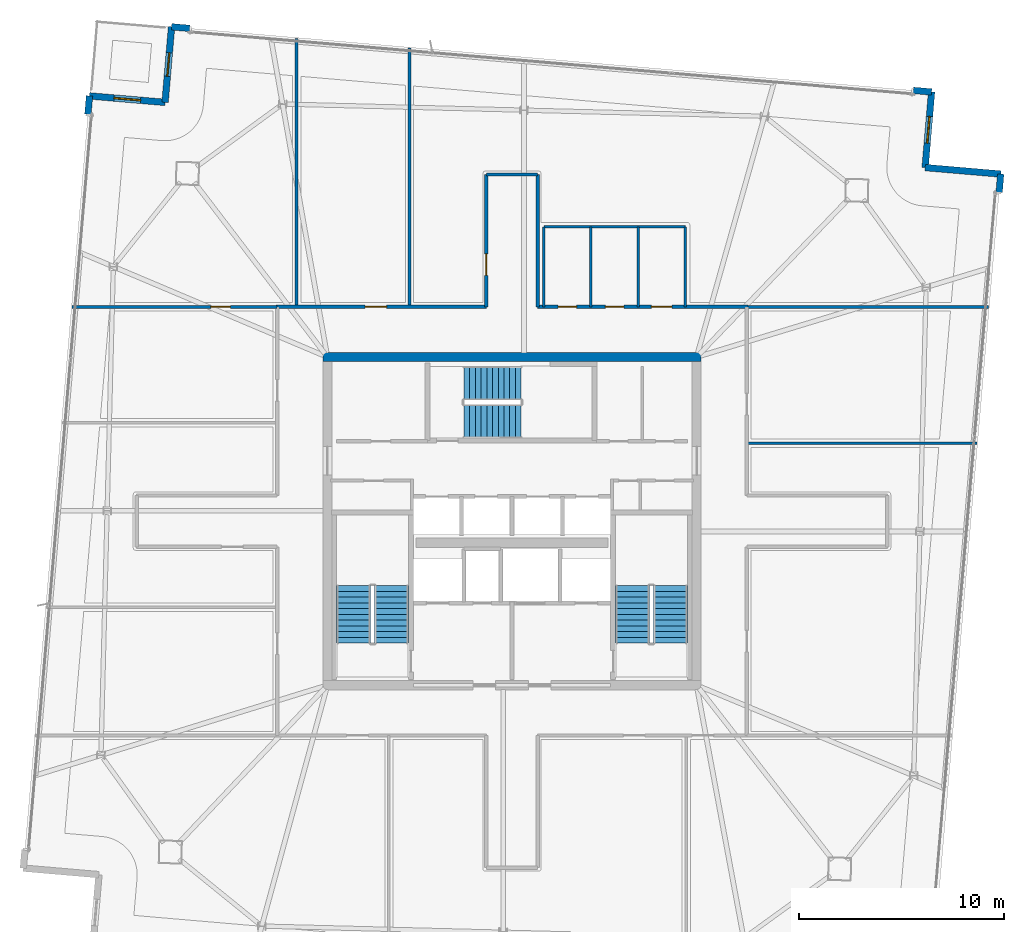
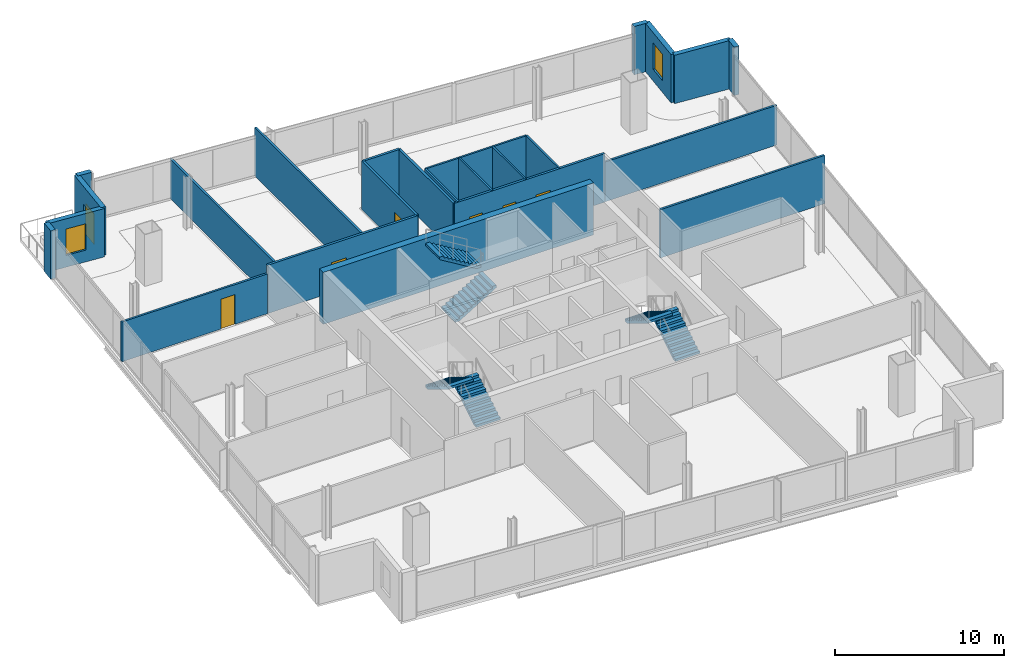
# One storey, part 21 of 24: 24 walls, 7 doors, 6 stair flights, 2 windows, 9 openings, 3 elements without a shape of their own.
"""IFC4 building model written with IfcOpenShell, lengths in metres."""

from ifc_helpers import new_model, si_unit, direction, frame, frame_2d, origin, place, context, subcontext, project, spatial, polyline, rectangle, outline, extrude, material, layer, layer_set, type_object, element, fill, aggregate, save


model = new_model("IFC4")

# Units and contexts
model_context = context("Model", 3, precision=1e-05, world=origin(), true_north=direction((0.0, 1.0)))
body_context = subcontext(model_context, "Body", "Model", "MODEL_VIEW")
ifc_project = project(units=[si_unit("LENGTHUNIT", "METRE"), si_unit("AREAUNIT", "SQUARE_METRE"), si_unit("VOLUMEUNIT", "CUBIC_METRE"), si_unit("PLANEANGLEUNIT", "RADIAN"), si_unit("MASSUNIT", "GRAM", prefix="KILO")], contexts=[model_context])

# Site, building, storey
site_placement = place(None, origin())
site = spatial("IfcSite", under=ifc_project, at=site_placement, CompositionType="ELEMENT")
building_placement = place(site_placement, origin())
building = spatial("IfcBuilding", under=site, at=building_placement, Name="Haldenkirk Collegiate Tower", CompositionType="ELEMENT")
storey_placement = place(building_placement, frame((0.0, 0.0, 313.949951171875)))
storey = spatial("IfcBuildingStorey", under=building, at=storey_placement, Name="L79", CompositionType="ELEMENT", Elevation=313.949951171875)

# Walls
ifc_material_1 = material(Name="Concrete f'c 55 MPa", Category="concrete")
ifc_layer_1 = layer(ifc_material_1, 0.449951171875)
ifc_layer_set_1 = layer_set([ifc_layer_1], Name="Concrete f'c 55 MPa")
wall_type_1 = type_object("IfcWallType", Name="WL-CORE-450", PredefinedType="SHEAR", material=ifc_layer_set_1)
wall_1_placement = place(storey_placement, frame((26.77490234375, 34.0, 0.0), z_axis=(0.0, 0.0, 1.0), x_axis=(1.0, 0.0, 0.0)))
element("IfcWall", 1, at=wall_1_placement, inside=storey, type_object=wall_type_1, Name="L79 central core shear wall N", PredefinedType="SHEAR", context=body_context, shape_type="SweptSolid", body=[
    extrude(rectangle(XDim=18.4501953125, YDim=0.449951171875, at=frame_2d((9.22509765625, 0.0))), origin(), (0.0, 0.0, 1.0), 3.75),
])
ifc_material_2 = material(Name="Precast concrete f'c 40 MPa", Category="concrete")
ifc_layer_2 = layer(ifc_material_2, 0.320068359375)
ifc_layer_set_2 = layer_set([ifc_layer_2], Name="Precast concrete f'c 40 MPa")
wall_type_2 = type_object("IfcWallType", Name="WL-EXT-TWR-320", PredefinedType="STANDARD", material=ifc_layer_set_2)
wall_2_placement = place(storey_placement, frame((59.8330078125, 42.926025390625, 0.0), z_axis=(0.0, 0.0, 1.0), x_axis=(-0.085447304034, -0.996342691163, 0.0)))
element("IfcWall", 2, at=wall_2_placement, inside=storey, type_object=wall_type_2, Name="L79 precast corner pier SL", PredefinedType="STANDARD", context=body_context, shape_type="SweptSolid", body=[
    extrude(rectangle(XDim=0.89990234375, YDim=0.320068359375, at=frame_2d((0.449951171875, 0.0))), origin(), (0.0, 0.0, 1.0), 3.489990234375),
])
wall_3_placement = place(storey_placement, frame((56.146484375, 43.2421875, 0.0), z_axis=(0.0, 0.0, 1.0), x_axis=(0.996342637634, -0.085447928194, 0.0)))
element("IfcWall", 3, at=wall_3_placement, inside=storey, type_object=wall_type_2, Name="L79 bronze precast notch wall 02", PredefinedType="STANDARD", context=body_context, shape_type="SweptSolid", body=[
    extrude(rectangle(XDim=3.699951171875, YDim=0.320068359375, at=frame_2d((1.85009765625, 0.0))), origin(), (0.0, 0.0, 1.0), 3.489990234375),
])

# Wall, opening, window
wall_4_placement = place(storey_placement, frame((56.46240234375, 46.9287109375, 0.0), z_axis=(0.0, 0.0, 1.0), x_axis=(-0.085382426449, -0.996348252999, 0.0)))
wall_4 = element("IfcWall", 4, at=wall_4_placement, inside=storey, type_object=wall_type_2, Name="L79 bronze precast notch wall 03", PredefinedType="STANDARD", context=body_context, shape_type="SweptSolid", body=[
    extrude(rectangle(XDim=3.699951171875, YDim=0.320068359375, at=frame_2d((1.85009765625, 0.0))), origin(), (0.0, 0.0, 1.0), 3.489990234375),
])
opening_1_placement = place(wall_4_placement, frame((1.199951171875, 0.0, 0.85009765625)))
opening_1 = element("IfcOpeningElement", 5, at=opening_1_placement, cuts=wall_4, Name="Opening W-08", PredefinedType="OPENING", context=body_context, shape_type="SweptSolid", body=[
    extrude(rectangle(XDim=1.300048828125, YDim=1.89990234375, at=frame_2d((0.64990234375, 0.949951171875))), frame((0.0, 0.169921875, 0.0), z_axis=(0.0, -1.0, 0.0), x_axis=(1.0, 0.0, 0.0)), (0.0, 0.0, 1.0), 0.340087890625),
])
ifc_material_3 = material(Name="Low-E argon triple insulating glass", Category="glass")
ifc_layer_3 = layer(ifc_material_3, 0.090087890625)
ifc_layer_set_3 = layer_set([ifc_layer_3], Name="Low-E argon triple insulating glass")
window_type = type_object("IfcWindowType", Name="WN-Z6-1300X1900", PartitioningType="SINGLE_PANEL", PredefinedType="WINDOW", material=ifc_layer_set_3)
window_1_placement = place(opening_1_placement, origin())
window_1 = element("IfcWindow", 6, at=window_1_placement, inside=storey, type_object=window_type, Name="L79 precast-frame academic window 2", OverallHeight=1.89990234375, OverallWidth=1.300048828125, PartitioningType="SINGLE_PANEL", PredefinedType="WINDOW", context=body_context, shape_type="SweptSolid", body=[
    extrude(rectangle(XDim=1.300048828125, YDim=1.89990234375, at=frame_2d((0.64990234375, 0.949951171875))), frame((0.0, 0.030029296875, 0.0), z_axis=(0.0, -1.0, 0.0), x_axis=(1.0, 0.0, 0.0)), (0.0, 0.0, 1.0), 0.06005859375),
])
fill(opening_1, window_1)

# Walls
for number, where, z_axis, x_axis, name in (
    (7, (19.3984375, 50.106201171875, 0.0), (0.0, 0.0, 1.0), (0.996342691163, -0.085447304034, 0.0), "L79 precast corner pier EL"),
    (8, (55.565673828125, 47.005615234375, 0.0), (0.0, 0.0, 1.0), (0.996342691163, -0.085447304034, 0.0), "L79 precast corner pier ER"),
):
    element("IfcWall", number, at=place(storey_placement, frame(where, z_axis=z_axis, x_axis=x_axis)), inside=storey, type_object=wall_type_2, Name=name, PredefinedType="STANDARD", context=body_context, shape_type="SweptSolid", body=[
        extrude(rectangle(XDim=0.89990234375, YDim=0.320068359375, at=frame_2d((0.449951171875, 0.0))), origin(), (0.0, 0.0, 1.0), 3.489990234375),
    ])

# Wall, opening, door
wall_5_placement = place(storey_placement, frame((19.08251953125, 46.419677734375, 0.0), z_axis=(0.0, 0.0, 1.0), x_axis=(0.085382426449, 0.996348252999, 0.0)))
wall_5 = element("IfcWall", 9, at=wall_5_placement, inside=storey, type_object=wall_type_2, Name="L79 bronze precast notch wall 05", PredefinedType="STANDARD", context=body_context, shape_type="SweptSolid", body=[
    extrude(rectangle(XDim=3.699951171875, YDim=0.320068359375, at=frame_2d((1.85009765625, 0.0))), origin(), (0.0, 0.0, 1.0), 3.489990234375),
])
opening_2_placement = place(wall_5_placement, frame((1.27490234375, 0.0, 0.0)))
opening_2 = element("IfcOpeningElement", 10, at=opening_2_placement, cuts=wall_5, Name="Opening D-ST11", PredefinedType="OPENING", context=body_context, shape_type="SweptSolid", body=[
    extrude(rectangle(XDim=1.14990234375, YDim=2.199951171875, at=frame_2d((0.574951171875, 1.10009765625))), frame((0.0, 0.169921875, 0.0), z_axis=(0.0, -1.0, 0.0), x_axis=(1.0, 0.0, 0.0)), (0.0, 0.0, 1.0), 0.340087890625),
])
ifc_material_4 = material(Name="Anodised architectural bronze aluminium", Category="aluminium")
ifc_layer_4 = layer(ifc_material_4, 0.080078125)
ifc_layer_set_4 = layer_set([ifc_layer_4], Name="Anodised architectural bronze aluminium")
door_type_1 = type_object("IfcDoorType", Name="DR-EXT-STER-1150", OperationType="NOTDEFINED", PredefinedType="DOOR", material=ifc_layer_set_4)
door_1_placement = place(opening_2_placement, origin())
door_1 = element("IfcDoor", 11, at=door_1_placement, inside=storey, type_object=door_type_1, Name="L79 spiralling terrace door", OperationType="SINGLE_SWING_RIGHT", OverallHeight=2.199951171875, OverallWidth=1.14990234375, PredefinedType="DOOR", context=body_context, shape_type="SweptSolid", body=[
    extrude(rectangle(XDim=1.14990234375, YDim=2.199951171875, at=frame_2d((0.574951171875, 1.10009765625))), frame((0.0, 0.02490234375, 0.0), z_axis=(0.0, -1.0, 0.0), x_axis=(1.0, 0.0, 0.0)), (0.0, 0.0, 1.0), 0.050048828125),
])
fill(opening_2, door_1)

# Wall, opening, window
wall_6_placement = place(storey_placement, frame((15.39599609375, 46.735595703125, 0.0), z_axis=(0.0, 0.0, 1.0), x_axis=(0.996348252999, -0.085382426449, 0.0)))
wall_6 = element("IfcWall", 12, at=wall_6_placement, inside=storey, type_object=wall_type_2, Name="L79 bronze precast notch wall 06", PredefinedType="STANDARD", context=body_context, shape_type="SweptSolid", body=[
    extrude(rectangle(XDim=3.699951171875, YDim=0.320068359375, at=frame_2d((1.85009765625, 0.0))), origin(), (0.0, 0.0, 1.0), 3.489990234375),
])
opening_3_placement = place(wall_6_placement, frame((1.199951171875, 0.0, 0.85009765625)))
opening_3 = element("IfcOpeningElement", 13, at=opening_3_placement, cuts=wall_6, Name="Opening W-08", PredefinedType="OPENING", context=body_context, shape_type="SweptSolid", body=[
    extrude(rectangle(XDim=1.300048828125, YDim=1.89990234375, at=frame_2d((0.64990234375, 0.949951171875))), frame((0.0, 0.169921875, 0.0), z_axis=(0.0, -1.0, 0.0), x_axis=(1.0, 0.0, 0.0)), (0.0, 0.0, 1.0), 0.340087890625),
])
window_2_placement = place(opening_3_placement, origin())
window_2 = element("IfcWindow", 14, at=window_2_placement, inside=storey, type_object=window_type, Name="L79 precast-frame academic window 5", OverallHeight=1.89990234375, OverallWidth=1.300048828125, PartitioningType="SINGLE_PANEL", PredefinedType="WINDOW", context=body_context, shape_type="SweptSolid", body=[
    extrude(rectangle(XDim=1.300048828125, YDim=1.89990234375, at=frame_2d((0.64990234375, 0.949951171875))), frame((0.0, 0.030029296875, 0.0), z_axis=(0.0, -1.0, 0.0), x_axis=(1.0, 0.0, 0.0)), (0.0, 0.0, 1.0), 0.06005859375),
])
fill(opening_3, window_2)

# Wall
wall_7_placement = place(storey_placement, frame((15.319091796875, 45.839111328125, 0.0), z_axis=(0.0, 0.0, 1.0), x_axis=(0.085470404028, 0.996340709815, 0.0)))
element("IfcWall", 15, at=wall_7_placement, inside=storey, type_object=wall_type_2, Name="L79 precast corner pier NR", PredefinedType="STANDARD", context=body_context, shape_type="SweptSolid", body=[
    extrude(rectangle(XDim=0.899658203125, YDim=0.320068359375, at=frame_2d((0.44970703125, 0.0))), origin(), (0.0, 0.0, 1.0), 3.489990234375),
])

# Wall, opening, door
ifc_material_5 = material(Name="Acoustic fire-rated gypsum partition", Category="concrete")
ifc_layer_5 = layer(ifc_material_5, 0.159912109375)
ifc_layer_set_5 = layer_set([ifc_layer_5], Name="Acoustic fire-rated gypsum partition")
wall_type_3 = type_object("IfcWallType", Name="WL-INT-CORR-160", PredefinedType="PARTITIONING", material=ifc_layer_set_5)
wall_8_placement = place(storey_placement, frame((24.5, 36.449951171875, 0.0), z_axis=(0.0, 0.0, 1.0), x_axis=(1.0, 0.0, 0.0)))
wall_8 = element("IfcWall", 16, at=wall_8_placement, inside=storey, type_object=wall_type_3, Name="L79 interior partition IW-L79-CN1", PredefinedType="PARTITIONING", context=body_context, shape_type="SweptSolid", body=[
    extrude(rectangle(XDim=10.25, YDim=0.159912109375, at=frame_2d((5.125, 0.0))), origin(), (0.0, 0.0, 1.0), 3.489990234375),
])
opening_4_placement = place(wall_8_placement, frame((4.3349609375, 0.0, 0.0)))
opening_4 = element("IfcOpeningElement", 17, at=opening_4_placement, cuts=wall_8, Name="Opening D-09", PredefinedType="OPENING", context=body_context, shape_type="SweptSolid", body=[
    extrude(rectangle(XDim=1.050048828125, YDim=2.14990234375, at=frame_2d((0.52490234375, 1.074951171875))), frame((0.0, 0.08984375, 0.0), z_axis=(0.0, -1.0, 0.0), x_axis=(1.0, 0.0, 0.0)), (0.0, 0.0, 1.0), 0.179931640625),
])
ifc_material_6 = material(Name="Solid-core architectural oak fire door", Category="wood")
ifc_layer_6 = layer(ifc_material_6, 0.06005859375)
ifc_layer_set_6 = layer_set([ifc_layer_6], Name="Solid-core architectural oak fire door")
door_type_2 = type_object("IfcDoorType", Name="DR-INT-FD60-1050", OperationType="NOTDEFINED", PredefinedType="DOOR", material=ifc_layer_set_6)
door_2_placement = place(opening_4_placement, origin())
door_2 = element("IfcDoor", 18, at=door_2_placement, inside=storey, type_object=door_type_2, Name="L79 Colloquium Conference Room 5 door", OperationType="SINGLE_SWING_LEFT", OverallHeight=2.14990234375, OverallWidth=1.050048828125, PredefinedType="DOOR", context=body_context, shape_type="SweptSolid", body=[
    extrude(rectangle(XDim=1.050048828125, YDim=2.14990234375, at=frame_2d((0.52490234375, 1.074951171875))), frame((0.0, 0.02490234375, 0.0), z_axis=(0.0, -1.0, 0.0), x_axis=(1.0, 0.0, 0.0)), (0.0, 0.0, 1.0), 0.050048828125),
])
fill(opening_4, door_2)

# Wall, openings, doors
wall_9_placement = place(storey_placement, frame((37.25, 36.449951171875, 0.0), z_axis=(0.0, 0.0, 1.0), x_axis=(1.0, 0.0, 0.0)))
wall_9 = element("IfcWall", 19, at=wall_9_placement, inside=storey, type_object=wall_type_3, Name="L79 interior partition IW-L79-CN2", PredefinedType="PARTITIONING", context=body_context, shape_type="SweptSolid", body=[
    extrude(rectangle(XDim=10.25, YDim=0.159912109375, at=frame_2d((5.125, 0.0))), origin(), (0.0, 0.0, 1.0), 3.489990234375),
])
opening_5_placement = place(wall_9_placement, frame((1.0, 0.0, 0.0)))
opening_5 = element("IfcOpeningElement", 20, at=opening_5_placement, cuts=wall_9, Name="Opening D-13", PredefinedType="OPENING", context=body_context, shape_type="SweptSolid", body=[
    extrude(rectangle(XDim=0.89990234375, YDim=2.14990234375, at=frame_2d((0.449951171875, 1.074951171875))), frame((0.0, 0.08984375, 0.0), z_axis=(0.0, -1.0, 0.0), x_axis=(1.0, 0.0, 0.0)), (0.0, 0.0, 1.0), 0.179931640625),
])
opening_6_placement = place(wall_9_placement, frame((3.300048828125, 0.0, 0.0)))
opening_6 = element("IfcOpeningElement", 21, at=opening_6_placement, cuts=wall_9, Name="Opening D-13", PredefinedType="OPENING", context=body_context, shape_type="SweptSolid", body=[
    extrude(rectangle(XDim=0.89990234375, YDim=2.14990234375, at=frame_2d((0.449951171875, 1.074951171875))), frame((0.0, 0.08984375, 0.0), z_axis=(0.0, -1.0, 0.0), x_axis=(1.0, 0.0, 0.0)), (0.0, 0.0, 1.0), 0.179931640625),
])
opening_7_placement = place(wall_9_placement, frame((5.550048828125, 0.0, 0.0)))
opening_7 = element("IfcOpeningElement", 22, at=opening_7_placement, cuts=wall_9, Name="Opening D-14", PredefinedType="OPENING", context=body_context, shape_type="SweptSolid", body=[
    extrude(rectangle(XDim=1.0, YDim=2.14990234375, at=frame_2d((0.5, 1.074951171875))), frame((0.0, 0.08984375, 0.0), z_axis=(0.0, -1.0, 0.0), x_axis=(1.0, 0.0, 0.0)), (0.0, 0.0, 1.0), 0.179931640625),
])
ifc_layer_7 = layer(ifc_material_6, 0.06005859375)
ifc_layer_set_7 = layer_set([ifc_layer_7], Name="Solid-core architectural oak fire door")
door_type_3 = type_object("IfcDoorType", Name="DR-INT-ACC-1000", OperationType="NOTDEFINED", PredefinedType="DOOR", material=ifc_layer_set_7)
door_3_placement = place(opening_7_placement, origin())
door_3 = element("IfcDoor", 23, at=door_3_placement, inside=storey, type_object=door_type_3, Name="L79 Accessible WC door", OperationType="SINGLE_SWING_RIGHT", OverallHeight=2.14990234375, OverallWidth=1.0, PredefinedType="DOOR", context=body_context, shape_type="SweptSolid", body=[
    extrude(rectangle(XDim=1.0, YDim=2.14990234375, at=frame_2d((0.5, 1.074951171875))), frame((0.0, 0.02490234375, 0.0), z_axis=(0.0, -1.0, 0.0), x_axis=(1.0, 0.0, 0.0)), (0.0, 0.0, 1.0), 0.050048828125),
])
fill(opening_7, door_3)
ifc_layer_8 = layer(ifc_material_6, 0.06005859375)
ifc_layer_set_8 = layer_set([ifc_layer_8], Name="Solid-core architectural oak fire door")
door_type_4 = type_object("IfcDoorType", Name="DR-INT-STD-900", OperationType="NOTDEFINED", PredefinedType="DOOR", material=ifc_layer_set_8)
door_4_placement = place(opening_5_placement, origin())
door_4 = element("IfcDoor", 24, at=door_4_placement, inside=storey, type_object=door_type_4, Name="L79 Male WC door", OperationType="SINGLE_SWING_RIGHT", OverallHeight=2.14990234375, OverallWidth=0.89990234375, PredefinedType="DOOR", context=body_context, shape_type="SweptSolid", body=[
    extrude(rectangle(XDim=0.89990234375, YDim=2.14990234375, at=frame_2d((0.449951171875, 1.074951171875))), frame((0.0, 0.02490234375, 0.0), z_axis=(0.0, -1.0, 0.0), x_axis=(1.0, 0.0, 0.0)), (0.0, 0.0, 1.0), 0.050048828125),
])
fill(opening_5, door_4)
door_5_placement = place(opening_6_placement, origin())
door_5 = element("IfcDoor", 25, at=door_5_placement, inside=storey, type_object=door_type_4, Name="L79 Female WC door", OperationType="SINGLE_SWING_LEFT", OverallHeight=2.14990234375, OverallWidth=0.89990234375, PredefinedType="DOOR", context=body_context, shape_type="SweptSolid", body=[
    extrude(rectangle(XDim=0.89990234375, YDim=2.14990234375, at=frame_2d((0.449951171875, 1.074951171875))), frame((0.0, 0.02490234375, 0.0), z_axis=(0.0, -1.0, 0.0), x_axis=(1.0, 0.0, 0.0)), (0.0, 0.0, 1.0), 0.050048828125),
])
fill(opening_6, door_5)

# Wall, opening, door
wall_10_placement = place(storey_placement, frame((34.75, 36.449951171875, 0.0), z_axis=(0.0, 0.0, 1.0), x_axis=(0.0, 1.0, 0.0)))
wall_10 = element("IfcWall", 26, at=wall_10_placement, inside=storey, type_object=wall_type_3, Name="L79 interior partition IW-L79-NPW", PredefinedType="PARTITIONING", context=body_context, shape_type="SweptSolid", body=[
    extrude(rectangle(XDim=6.449951171875, YDim=0.159912109375, at=frame_2d((3.22509765625, 0.0))), origin(), (0.0, 0.0, 1.0), 3.489990234375),
])
opening_8_placement = place(wall_10_placement, frame((1.5390625, 0.0, 0.0)))
opening_8 = element("IfcOpeningElement", 27, at=opening_8_placement, cuts=wall_10, Name="Opening D-09", PredefinedType="OPENING", context=body_context, shape_type="SweptSolid", body=[
    extrude(rectangle(XDim=1.050048828125, YDim=2.14990234375, at=frame_2d((0.52490234375, 1.074951171875))), frame((0.0, 0.08984375, 0.0), z_axis=(0.0, -1.0, 0.0), x_axis=(1.0, 0.0, 0.0)), (0.0, 0.0, 1.0), 0.179931640625),
])
door_6_placement = place(opening_8_placement, origin())
door_6 = element("IfcDoor", 28, at=door_6_placement, inside=storey, type_object=door_type_2, Name="L79 Tutorial Seminar Room 6 door", OperationType="SINGLE_SWING_RIGHT", OverallHeight=2.14990234375, OverallWidth=1.050048828125, PredefinedType="DOOR", context=body_context, shape_type="SweptSolid", body=[
    extrude(rectangle(XDim=1.050048828125, YDim=2.14990234375, at=frame_2d((0.52490234375, 1.074951171875))), frame((0.0, 0.02490234375, 0.0), z_axis=(0.0, -1.0, 0.0), x_axis=(1.0, 0.0, 0.0)), (0.0, 0.0, 1.0), 0.050048828125),
])
fill(opening_8, door_6)

# Walls
wall_11_placement = place(storey_placement, frame((37.25, 36.449951171875, 0.0), z_axis=(0.0, 0.0, 1.0), x_axis=(0.0, 1.0, 0.0)))
element("IfcWall", 29, at=wall_11_placement, inside=storey, type_object=wall_type_3, Name="L79 interior partition IW-L79-NPE", PredefinedType="PARTITIONING", context=body_context, shape_type="SweptSolid", body=[
    extrude(rectangle(XDim=6.449951171875, YDim=0.159912109375, at=frame_2d((3.22509765625, 0.0))), origin(), (0.0, 0.0, 1.0), 3.489990234375),
])
wall_12_placement = place(storey_placement, frame((34.75, 42.89990234375, 0.0), z_axis=(0.0, 0.0, 1.0), x_axis=(1.0, 0.0, 0.0)))
element("IfcWall", 30, at=wall_12_placement, inside=storey, type_object=wall_type_3, Name="L79 interior partition IW-L79-NPN", PredefinedType="PARTITIONING", context=body_context, shape_type="SweptSolid", body=[
    extrude(rectangle(XDim=2.5, YDim=0.159912109375, at=frame_2d((1.25, 0.0))), origin(), (0.0, 0.0, 1.0), 3.489990234375),
])

# Wall, opening, door
ifc_layer_9 = layer(ifc_material_5, 0.139892578125)
ifc_layer_set_9 = layer_set([ifc_layer_9], Name="Acoustic fire-rated gypsum partition")
wall_type_4 = type_object("IfcWallType", Name="WL-INT-DIV-140", PredefinedType="PARTITIONING", material=ifc_layer_set_9)
wall_13_placement = place(storey_placement, frame((14.55419921875, 36.449951171875, 0.0), z_axis=(0.0, 0.0, 1.0), x_axis=(1.0, 0.0, 0.0)))
wall_13 = element("IfcWall", 31, at=wall_13_placement, inside=storey, type_object=wall_type_4, Name="L79 interior partition IW-L79-BWN", PredefinedType="PARTITIONING", context=body_context, shape_type="SweptSolid", body=[
    extrude(rectangle(XDim=9.995849609375, YDim=0.139892578125, at=frame_2d((4.998046875, 0.0))), origin(), (0.0, 0.0, 1.0), 2.8681640625),
])
opening_9_placement = place(wall_13_placement, frame((6.764892578125, 0.0, 0.0)))
opening_9 = element("IfcOpeningElement", 32, at=opening_9_placement, cuts=wall_13, Name="Opening D-12", PredefinedType="OPENING", context=body_context, shape_type="SweptSolid", body=[
    extrude(rectangle(XDim=0.949951171875, YDim=2.14990234375, at=frame_2d((0.47509765625, 1.074951171875))), frame((0.0, 0.079833984375, 0.0), z_axis=(0.0, -1.0, 0.0), x_axis=(1.0, 0.0, 0.0)), (0.0, 0.0, 1.0), 0.159912109375),
])
ifc_layer_10 = layer(ifc_material_6, 0.06005859375)
ifc_layer_set_10 = layer_set([ifc_layer_10], Name="Solid-core architectural oak fire door")
door_type_5 = type_object("IfcDoorType", Name="DR-INT-STD-950", OperationType="NOTDEFINED", PredefinedType="DOOR", material=ifc_layer_set_10)
door_7_placement = place(opening_9_placement, origin())
door_7 = element("IfcDoor", 33, at=door_7_placement, inside=storey, type_object=door_type_5, Name="L79 Graduate Seminar Room 4 door", OperationType="SINGLE_SWING_RIGHT", OverallHeight=2.14990234375, OverallWidth=0.949951171875, PredefinedType="DOOR", context=body_context, shape_type="SweptSolid", body=[
    extrude(rectangle(XDim=0.949951171875, YDim=2.14990234375, at=frame_2d((0.47509765625, 1.074951171875))), frame((0.0, 0.02490234375, 0.0), z_axis=(0.0, -1.0, 0.0), x_axis=(1.0, 0.0, 0.0)), (0.0, 0.0, 1.0), 0.050048828125),
])
fill(opening_9, door_7)

# Walls
wall_14_placement = place(storey_placement, frame((47.449951171875, 36.449951171875, 0.0), z_axis=(0.0, 0.0, 1.0), x_axis=(1.0, 0.0, 0.0)))
element("IfcWall", 34, at=wall_14_placement, inside=storey, type_object=wall_type_4, Name="L79 interior partition IW-L79-BEN", PredefinedType="PARTITIONING", context=body_context, shape_type="SweptSolid", body=[
    extrude(rectangle(XDim=11.78759765625, YDim=0.139892578125, at=frame_2d((5.893798828125, 0.0))), origin(), (0.0, 0.0, 1.0), 2.8681640625),
])
wall_15_placement = place(storey_placement, frame((25.5, 36.449951171875, 0.0), z_axis=(0.0, 0.0, 1.0), x_axis=(0.0, 1.0, 0.0)))
element("IfcWall", 35, at=wall_15_placement, inside=storey, type_object=wall_type_4, Name="L79 interior partition IW-L79-RN1", PredefinedType="PARTITIONING", context=body_context, shape_type="SweptSolid", body=[
    extrude(rectangle(XDim=13.093017578125, YDim=0.139892578125, at=frame_2d((6.54638671875, 0.0))), origin(), (0.0, 0.0, 1.0), 2.8681640625),
])
wall_16_placement = place(storey_placement, frame((31.0, 36.449951171875, 0.0), z_axis=(0.0, 0.0, 1.0), x_axis=(0.0, 1.0, 0.0)))
element("IfcWall", 36, at=wall_16_placement, inside=storey, type_object=wall_type_4, Name="L79 interior partition IW-L79-RN2", PredefinedType="PARTITIONING", context=body_context, shape_type="SweptSolid", body=[
    extrude(rectangle(XDim=12.621337890625, YDim=0.139892578125, at=frame_2d((6.310546875, 0.0))), origin(), (0.0, 0.0, 1.0), 3.489990234375),
])
wall_17_placement = place(storey_placement, frame((47.449951171875, 29.800048828125, 0.0), z_axis=(0.0, 0.0, 1.0), x_axis=(1.0, 0.0, 0.0)))
element("IfcWall", 37, at=wall_17_placement, inside=storey, type_object=wall_type_4, Name="L79 interior partition IW-L79-RE1", PredefinedType="PARTITIONING", context=body_context, shape_type="SweptSolid", body=[
    extrude(rectangle(XDim=11.217529296875, YDim=0.139892578125, at=frame_2d((5.60888671875, 0.0))), origin(), (0.0, 0.0, 1.0), 3.489990234375),
])
ifc_layer_11 = layer(ifc_material_5, 0.1201171875)
ifc_layer_set_11 = layer_set([ifc_layer_11], Name="Acoustic fire-rated gypsum partition")
wall_type_5 = type_object("IfcWallType", Name="WL-INT-WET-120", PredefinedType="PARTITIONING", material=ifc_layer_set_11)
for number, where, z_axis, x_axis, name in (
    (38, (37.550048828125, 36.449951171875, 0.0), (0.0, 0.0, 1.0), (0.0, 1.0, 0.0), "L79 interior partition IW-L79-WCW"),
    (39, (39.85009765625, 36.449951171875, 0.0), (0.0, 0.0, 1.0), (0.0, 1.0, 0.0), "L79 interior partition IW-L79-WC1"),
    (40, (42.14990234375, 36.449951171875, 0.0), (0.0, 0.0, 1.0), (0.0, 1.0, 0.0), "L79 interior partition IW-L79-WC2"),
    (41, (44.449951171875, 36.449951171875, 0.0), (0.0, 0.0, 1.0), (0.0, 1.0, 0.0), "L79 interior partition IW-L79-WCE"),
):
    element("IfcWall", number, at=place(storey_placement, frame(where, z_axis=z_axis, x_axis=x_axis)), inside=storey, type_object=wall_type_5, Name=name, PredefinedType="PARTITIONING", context=body_context, shape_type="SweptSolid", body=[
        extrude(rectangle(XDim=3.900146484375, YDim=0.1201171875, at=frame_2d((1.9501953125, 0.0))), origin(), (0.0, 0.0, 1.0), 3.489990234375),
    ])
wall_18_placement = place(storey_placement, frame((37.550048828125, 40.35009765625, 0.0), z_axis=(0.0, 0.0, 1.0), x_axis=(1.0, 0.0, 0.0)))
element("IfcWall", 42, at=wall_18_placement, inside=storey, type_object=wall_type_5, Name="L79 interior partition IW-L79-WCB", PredefinedType="PARTITIONING", context=body_context, shape_type="SweptSolid", body=[
    extrude(rectangle(XDim=6.89990234375, YDim=0.1201171875, at=frame_2d((3.449951171875, 0.0))), origin(), (0.0, 0.0, 1.0), 3.489990234375),
])

# Stair, stair flights
ifc_material_7 = material(Name="Concrete f'c 40 MPa", Category="concrete")
stair_type = type_object("IfcStairType", Name="STR-DOGLEG-1650", PredefinedType="HALF_TURN_STAIR", material=ifc_material_7)
stair_1_placement = place(storey_placement, origin())
stair_1 = element("IfcStair", 43, at=stair_1_placement, inside=storey, type_object=stair_type, Name="L79 Core Exit Stair ST-1", PredefinedType="HALF_TURN_STAIR")
stair_flight_type = type_object("IfcStairFlightType", Name="STF-FLIGHT-1650", PredefinedType="STRAIGHT", material=ifc_material_7)
stair_flight_1_placement = place(storey_placement, frame((30.125, 20.050048828125, 0.0), z_axis=(0.0, 0.0, 1.0), x_axis=(0.0, 1.0, 0.0)))
stair_flight_1 = element("IfcStairFlight", 44, at=stair_flight_1_placement, type_object=stair_flight_type, Name="ST-1 flight 1", NumberOfRisers=11, NumberOfTreads=10, PredefinedType="STRAIGHT", RiserHeight=0.170454545, TreadLength=0.28, context=body_context, shape_type="SweptSolid", body=[
    extrude(outline(polyline([(0.0, 0.0), (0.0, 0.17041015625), (0.280029296875, 0.17041015625), (0.280029296875, 0.3408203125), (0.56005859375, 0.3408203125), (0.56005859375, 0.511474609375), (0.840087890625, 0.511474609375), (0.840087890625, 0.681884765625), (1.1201171875, 0.681884765625), (1.1201171875, 0.852294921875), (1.39990234375, 0.852294921875), (1.39990234375, 1.022705078125), (1.679931640625, 1.022705078125), (1.679931640625, 1.193115234375), (1.9599609375, 1.193115234375), (1.9599609375, 1.363525390625), (2.239990234375, 1.363525390625), (2.239990234375, 1.5341796875), (2.52001953125, 1.5341796875), (2.52001953125, 1.70458984375), (2.800048828125, 1.70458984375), (2.800048828125, 1.875), (2.800048828125, 1.529052734375), (0.288330078125, 0.0), (0.0, 0.0)])), frame((0.0, 0.824951171875, 0.0), z_axis=(0.0, -1.0, 0.0), x_axis=(1.0, 0.0, 0.0)), (0.0, 0.0, 1.0), 1.64990234375),
])
stair_flight_2_placement = place(storey_placement, frame((28.27490234375, 22.85009765625, 1.875), z_axis=(0.0, 0.0, 1.0), x_axis=(0.0, -1.0, 0.0)))
stair_flight_2 = element("IfcStairFlight", 45, at=stair_flight_2_placement, type_object=stair_flight_type, Name="ST-1 flight 2", NumberOfRisers=11, NumberOfTreads=10, PredefinedType="STRAIGHT", RiserHeight=0.170454545, TreadLength=0.28, context=body_context, shape_type="SweptSolid", body=[
    extrude(outline(polyline([(0.0, 0.0), (0.0, 0.17041015625), (0.280029296875, 0.17041015625), (0.280029296875, 0.3408203125), (0.56005859375, 0.3408203125), (0.56005859375, 0.511474609375), (0.840087890625, 0.511474609375), (0.840087890625, 0.681884765625), (1.1201171875, 0.681884765625), (1.1201171875, 0.852294921875), (1.39990234375, 0.852294921875), (1.39990234375, 1.022705078125), (1.679931640625, 1.022705078125), (1.679931640625, 1.193115234375), (1.9599609375, 1.193115234375), (1.9599609375, 1.363525390625), (2.239990234375, 1.363525390625), (2.239990234375, 1.5341796875), (2.52001953125, 1.5341796875), (2.52001953125, 1.70458984375), (2.800048828125, 1.70458984375), (2.800048828125, 1.875), (2.800048828125, 1.529052734375), (0.288330078125, 0.0), (0.0, 0.0)])), frame((0.0, 0.824951171875, 0.0), z_axis=(0.0, -1.0, 0.0), x_axis=(1.0, 0.0, 0.0)), (0.0, 0.0, 1.0), 1.64990234375),
])
aggregate(stair_1, [stair_flight_1, stair_flight_2])

stair_2_placement = place(storey_placement, origin())
stair_2 = element("IfcStair", 46, at=stair_2_placement, inside=storey, type_object=stair_type, Name="L79 Core Exit Stair ST-2", PredefinedType="HALF_TURN_STAIR")
stair_flight_3_placement = place(storey_placement, frame((43.72509765625, 20.050048828125, 0.0), z_axis=(0.0, 0.0, 1.0), x_axis=(0.0, 1.0, 0.0)))
stair_flight_3 = element("IfcStairFlight", 47, at=stair_flight_3_placement, type_object=stair_flight_type, Name="ST-2 flight 1", NumberOfRisers=11, NumberOfTreads=10, PredefinedType="STRAIGHT", RiserHeight=0.170454545, TreadLength=0.28, context=body_context, shape_type="SweptSolid", body=[
    extrude(outline(polyline([(0.0, 0.0), (0.0, 0.17041015625), (0.280029296875, 0.17041015625), (0.280029296875, 0.3408203125), (0.56005859375, 0.3408203125), (0.56005859375, 0.511474609375), (0.840087890625, 0.511474609375), (0.840087890625, 0.681884765625), (1.1201171875, 0.681884765625), (1.1201171875, 0.852294921875), (1.39990234375, 0.852294921875), (1.39990234375, 1.022705078125), (1.679931640625, 1.022705078125), (1.679931640625, 1.193115234375), (1.9599609375, 1.193115234375), (1.9599609375, 1.363525390625), (2.239990234375, 1.363525390625), (2.239990234375, 1.5341796875), (2.52001953125, 1.5341796875), (2.52001953125, 1.70458984375), (2.800048828125, 1.70458984375), (2.800048828125, 1.875), (2.800048828125, 1.529052734375), (0.288330078125, 0.0), (0.0, 0.0)])), frame((0.0, 0.824951171875, 0.0), z_axis=(0.0, -1.0, 0.0), x_axis=(1.0, 0.0, 0.0)), (0.0, 0.0, 1.0), 1.64990234375),
])
stair_flight_4_placement = place(storey_placement, frame((41.875, 22.85009765625, 1.875), z_axis=(0.0, 0.0, 1.0), x_axis=(0.0, -1.0, 0.0)))
stair_flight_4 = element("IfcStairFlight", 48, at=stair_flight_4_placement, type_object=stair_flight_type, Name="ST-2 flight 2", NumberOfRisers=11, NumberOfTreads=10, PredefinedType="STRAIGHT", RiserHeight=0.170454545, TreadLength=0.28, context=body_context, shape_type="SweptSolid", body=[
    extrude(outline(polyline([(0.0, 0.0), (0.0, 0.17041015625), (0.280029296875, 0.17041015625), (0.280029296875, 0.3408203125), (0.56005859375, 0.3408203125), (0.56005859375, 0.511474609375), (0.840087890625, 0.511474609375), (0.840087890625, 0.681884765625), (1.1201171875, 0.681884765625), (1.1201171875, 0.852294921875), (1.39990234375, 0.852294921875), (1.39990234375, 1.022705078125), (1.679931640625, 1.022705078125), (1.679931640625, 1.193115234375), (1.9599609375, 1.193115234375), (1.9599609375, 1.363525390625), (2.239990234375, 1.363525390625), (2.239990234375, 1.5341796875), (2.52001953125, 1.5341796875), (2.52001953125, 1.70458984375), (2.800048828125, 1.70458984375), (2.800048828125, 1.875), (2.800048828125, 1.529052734375), (0.288330078125, 0.0), (0.0, 0.0)])), frame((0.0, 0.824951171875, 0.0), z_axis=(0.0, -1.0, 0.0), x_axis=(1.0, 0.0, 0.0)), (0.0, 0.0, 1.0), 1.64990234375),
])
aggregate(stair_2, [stair_flight_3, stair_flight_4])

stair_3_placement = place(storey_placement, origin())
stair_3 = element("IfcStair", 49, at=stair_3_placement, inside=storey, type_object=stair_type, Name="L79 Core Exit Stair ST-3", PredefinedType="HALF_TURN_STAIR")
stair_flight_5_placement = place(storey_placement, frame((33.64990234375, 30.875, 0.0), z_axis=(0.0, 0.0, 1.0), x_axis=(1.0, 0.0, 0.0)))
stair_flight_5 = element("IfcStairFlight", 50, at=stair_flight_5_placement, type_object=stair_flight_type, Name="ST-3 flight 1", NumberOfRisers=11, NumberOfTreads=10, PredefinedType="STRAIGHT", RiserHeight=0.170454545, TreadLength=0.28, context=body_context, shape_type="SweptSolid", body=[
    extrude(outline(polyline([(0.0, 0.0), (0.0, 0.17041015625), (0.280029296875, 0.17041015625), (0.280029296875, 0.3408203125), (0.56005859375, 0.3408203125), (0.56005859375, 0.511474609375), (0.840087890625, 0.511474609375), (0.840087890625, 0.681884765625), (1.1201171875, 0.681884765625), (1.1201171875, 0.852294921875), (1.39990234375, 0.852294921875), (1.39990234375, 1.022705078125), (1.679931640625, 1.022705078125), (1.679931640625, 1.193115234375), (1.9599609375, 1.193115234375), (1.9599609375, 1.363525390625), (2.239990234375, 1.363525390625), (2.239990234375, 1.5341796875), (2.52001953125, 1.5341796875), (2.52001953125, 1.70458984375), (2.800048828125, 1.70458984375), (2.800048828125, 1.875), (2.800048828125, 1.529052734375), (0.288330078125, 0.0), (0.0, 0.0)])), frame((0.0, 0.824951171875, 0.0), z_axis=(0.0, -1.0, 0.0), x_axis=(1.0, 0.0, 0.0)), (0.0, 0.0, 1.0), 1.64990234375),
])
stair_flight_6_placement = place(storey_placement, frame((36.449951171875, 32.72509765625, 1.875), z_axis=(0.0, 0.0, 1.0), x_axis=(-1.0, 0.0, 0.0)))
stair_flight_6 = element("IfcStairFlight", 51, at=stair_flight_6_placement, type_object=stair_flight_type, Name="ST-3 flight 2", NumberOfRisers=11, NumberOfTreads=10, PredefinedType="STRAIGHT", RiserHeight=0.170454545, TreadLength=0.28, context=body_context, shape_type="SweptSolid", body=[
    extrude(outline(polyline([(0.0, 0.0), (0.0, 0.17041015625), (0.280029296875, 0.17041015625), (0.280029296875, 0.3408203125), (0.56005859375, 0.3408203125), (0.56005859375, 0.511474609375), (0.840087890625, 0.511474609375), (0.840087890625, 0.681884765625), (1.1201171875, 0.681884765625), (1.1201171875, 0.852294921875), (1.39990234375, 0.852294921875), (1.39990234375, 1.022705078125), (1.679931640625, 1.022705078125), (1.679931640625, 1.193115234375), (1.9599609375, 1.193115234375), (1.9599609375, 1.363525390625), (2.239990234375, 1.363525390625), (2.239990234375, 1.5341796875), (2.52001953125, 1.5341796875), (2.52001953125, 1.70458984375), (2.800048828125, 1.70458984375), (2.800048828125, 1.875), (2.800048828125, 1.529052734375), (0.288330078125, 0.0), (0.0, 0.0)])), frame((0.0, 0.824951171875, 0.0), z_axis=(0.0, -1.0, 0.0), x_axis=(1.0, 0.0, 0.0)), (0.0, 0.0, 1.0), 1.64990234375),
])
aggregate(stair_3, [stair_flight_5, stair_flight_6])

save(model, "model.ifc")
